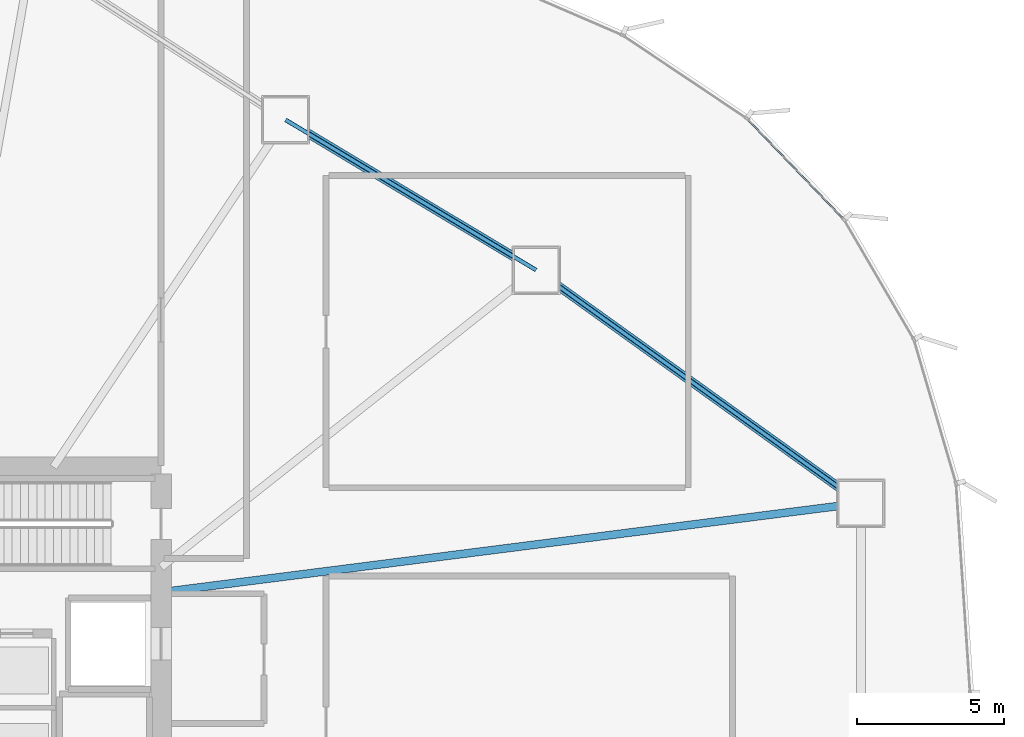
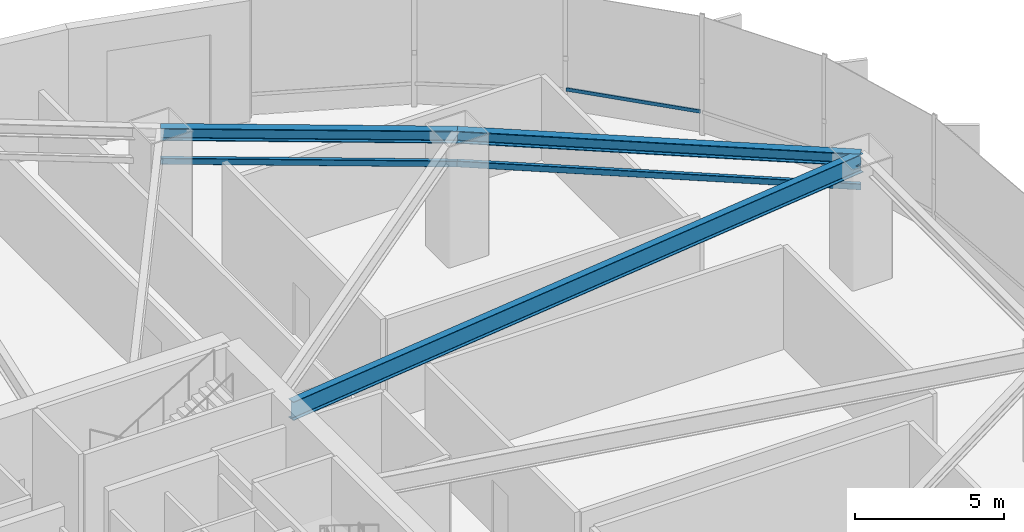
# One storey, part 19 of 35: 5 beams, 1 member, 1 element without a shape of its own.
"""IFC4 building model written with IfcOpenShell, lengths in metres."""

from ifc_helpers import new_model, si_unit, direction, frame, origin, origin_2d, place, context, subcontext, project, spatial, hollow_rectangle, i_section, extrude, source, transform, mapped, material, layer, layer_set, material_profile, profile_set, type_object, element, aggregate, save


model = new_model("IFC4")

# Units and contexts
model_context = context("Model", 3, precision=1e-05, world=origin(), true_north=direction((0.0, 1.0)))
body_context = subcontext(model_context, "Body", "Model", "MODEL_VIEW")
ifc_project = project(units=[si_unit("LENGTHUNIT", "METRE"), si_unit("AREAUNIT", "SQUARE_METRE"), si_unit("VOLUMEUNIT", "CUBIC_METRE"), si_unit("PLANEANGLEUNIT", "RADIAN"), si_unit("MASSUNIT", "GRAM", prefix="KILO"), si_unit("THERMODYNAMICTEMPERATUREUNIT", "KELVIN")], contexts=[model_context])

# Site, building, storey
site_placement = place(None, origin())
site = spatial("IfcSite", under=ifc_project, at=site_placement, CompositionType="ELEMENT")
building_placement = place(site_placement, origin())
building = spatial("IfcBuilding", under=site, at=building_placement, Name="Kethvar Cultural Tower", CompositionType="ELEMENT")
storey_placement = place(building_placement, origin())
storey = spatial("IfcBuildingStorey", under=building, at=storey_placement, Name="L00", CompositionType="ELEMENT", Elevation=0.0)

# Beams
ifc_material_1 = material(Name="Steel S355J2", Category="steel")
ifc_material_profile_1 = material_profile(ifc_material_1, i_section(OverallWidth=0.300048828125, OverallDepth=0.5, WebThickness=0.014404296875, FlangeThickness=0.028076171875, FilletRadius=0.027099609375, at=origin_2d()), Name="Steel S355J2 — HEB500")
ifc_profile_set_1 = profile_set([ifc_material_profile_1], Name="Steel S355J2 — HEB500")
beam_type_1 = type_object("IfcBeamType", Name="BM-SP500", PredefinedType="SPANDREL", material=ifc_profile_set_1)
shared_shape_1 = source(origin(), body_context, "Body", "SweptSolid", [
    extrude(i_section(OverallWidth=0.300048828125, OverallDepth=0.5, WebThickness=0.014404296875, FlangeThickness=0.028076171875, FilletRadius=0.027099609375, at=origin_2d()), origin(), (0.0, 0.0, 1.0), 13.5712890625),
])
beam_1_placement = place(storey_placement, frame((79.362060546875, 34.277099609375, 4.697998046875), z_axis=(-0.812419874207, 0.583072849645, 0.0), x_axis=(-0.583072849645, -0.812419874207, 0.0)))
element("IfcBeam", 1, at=beam_1_placement, inside=storey, type_object=beam_type_1, Name="L00 Podium Ring Beam 01", PredefinedType="SPANDREL", context=body_context, shape_type="MappedRepresentation", body=[
    mapped(shared_shape_1, transform((0.0, 0.0, 0.0), scale=1.0)),
])
shared_shape_2 = source(origin(), body_context, "Body", "SweptSolid", [
    extrude(i_section(OverallWidth=0.300048828125, OverallDepth=0.5, WebThickness=0.014404296875, FlangeThickness=0.028076171875, FilletRadius=0.027099609375, at=origin_2d()), origin(), (0.0, 0.0, 1.0), 9.924072265625),
])
beam_2_placement = place(storey_placement, frame((68.33642578125, 42.190185546875, 4.697998046875), z_axis=(-0.857664361463, 0.514209921215, 0.0), x_axis=(-0.514209921215, -0.857664361463, 0.0)))
element("IfcBeam", 2, at=beam_2_placement, inside=storey, type_object=beam_type_1, Name="L00 Podium Ring Beam 02", PredefinedType="SPANDREL", context=body_context, shape_type="MappedRepresentation", body=[
    mapped(shared_shape_2, transform((0.0, 0.0, 0.0), scale=1.0)),
])
ifc_material_profile_2 = material_profile(ifc_material_1, i_section(OverallWidth=0.26708984375, OverallDepth=0.761962890625, WebThickness=0.014404296875, FlangeThickness=0.021484375, FilletRadius=0.01708984375, at=origin_2d()), Name="Steel S355J2 — IPE750x173")
ifc_profile_set_2 = profile_set([ifc_material_profile_2], Name="Steel S355J2 — IPE750x173")
beam_type_2 = type_object("IfcBeamType", Name="BM-IPE750", PredefinedType="BEAM", material=ifc_profile_set_2)
shared_shape_3 = source(origin(), body_context, "Body", "SweptSolid", [
    extrude(i_section(OverallWidth=0.26708984375, OverallDepth=0.761962890625, WebThickness=0.014404296875, FlangeThickness=0.021484375, FilletRadius=0.01708984375, at=origin_2d()), origin(), (0.0, 0.0, 1.0), 23.9541015625),
])
beam_3_placement = place(storey_placement, frame((55.60009765625, 31.25, 4.56689453125), z_axis=(0.991983004647, 0.126371351546, 0.0), x_axis=(-0.126371351546, 0.991983004647, 0.0)))
element("IfcBeam", 3, at=beam_3_placement, inside=storey, type_object=beam_type_2, Name="L00 Podium Radial Girder 01", PredefinedType="BEAM", context=body_context, shape_type="MappedRepresentation", body=[
    mapped(shared_shape_3, transform((0.0, 0.0, 0.0), scale=1.0)),
])
ifc_material_profile_3 = material_profile(ifc_material_1, hollow_rectangle(XDim=0.14990234375, YDim=0.25, WallThickness=0.010009765625, InnerFilletRadius=0.010009765625, OuterFilletRadius=0.02001953125, at=origin_2d()), Name="Steel S355J2 — RHS250x150x10")
ifc_profile_set_3 = profile_set([ifc_material_profile_3], Name="Steel S355J2 — RHS250x150x10")
beam_type_3 = type_object("IfcBeamType", Name="BM-LN250", PredefinedType="LINTEL", material=ifc_profile_set_3)
shared_shape_4 = source(origin(), body_context, "Body", "SweptSolid", [
    extrude(hollow_rectangle(XDim=0.14990234375, YDim=0.25, WallThickness=0.010009765625, InnerFilletRadius=0.010009765625, OuterFilletRadius=0.02001953125, at=origin_2d()), origin(), (0.0, 0.0, 1.0), 13.5712890625),
])
beam_4_placement = place(storey_placement, frame((79.362060546875, 34.277099609375, 3.550048828125), z_axis=(-0.812419874207, 0.583072849645, 0.0), x_axis=(-0.583072849645, -0.812419874207, 0.0)))
element("IfcBeam", 4, at=beam_4_placement, inside=storey, type_object=beam_type_3, Name="L00 Header Lintel LN-01", PredefinedType="LINTEL", context=body_context, shape_type="MappedRepresentation", body=[
    mapped(shared_shape_4, transform((0.0, 0.0, 0.0), scale=1.0)),
])
shared_shape_5 = source(origin(), body_context, "Body", "SweptSolid", [
    extrude(hollow_rectangle(XDim=0.14990234375, YDim=0.25, WallThickness=0.010009765625, InnerFilletRadius=0.010009765625, OuterFilletRadius=0.02001953125, at=origin_2d()), origin(), (0.0, 0.0, 1.0), 9.924072265625),
])
beam_5_placement = place(storey_placement, frame((68.33642578125, 42.190185546875, 3.550048828125), z_axis=(-0.857664361463, 0.514209921215, 0.0), x_axis=(-0.514209921215, -0.857664361463, 0.0)))
element("IfcBeam", 5, at=beam_5_placement, inside=storey, type_object=beam_type_3, Name="L00 Header Lintel LN-02", PredefinedType="LINTEL", context=body_context, shape_type="MappedRepresentation", body=[
    mapped(shared_shape_5, transform((0.0, 0.0, 0.0), scale=1.0)),
])

# Curtain wall, member
ifc_material_2 = material(Name="Aluminium 6063-T6", Category="aluminium")
ifc_layer = layer(ifc_material_2, 0.179931640625, Name="Aluminium 6063-T6", Category="aluminium")
ifc_layer_set = layer_set([ifc_layer], Name="Aluminium 6063-T6 (180 mm)")
curtain_wall_type = type_object("IfcCurtainWallType", Name="CW-SYS-01-POD", PredefinedType="NOTDEFINED", material=ifc_layer_set)
curtain_wall_placement = place(storey_placement, origin())
curtain_wall = element("IfcCurtainWall", 6, at=curtain_wall_placement, inside=storey, type_object=curtain_wall_type, Name="L00 Curtain Wall Run 01", PredefinedType="NOTDEFINED")
ifc_material_profile_4 = material_profile(ifc_material_2, hollow_rectangle(XDim=0.06005859375, YDim=0.139892578125, WallThickness=0.0048828125, at=origin_2d()), Name="Aluminium 6063-T6 — RHS140x60x5")
ifc_profile_set_4 = profile_set([ifc_material_profile_4], Name="Aluminium 6063-T6 — RHS140x60x5")
member_type = type_object("IfcMemberType", Name="CW-SYS-01-POD-TRN", PredefinedType="USERDEFINED", material=ifc_profile_set_4)
shared_shape_6 = source(origin(), body_context, "Body", "SweptSolid", [
    extrude(hollow_rectangle(XDim=0.06005859375, YDim=0.139892578125, WallThickness=0.0048828125, at=origin_2d()), origin(), (0.0, 0.0, 1.0), 4.6826171875),
])
member_placement = place(storey_placement, frame((78.75341796875, 43.942626953125, 0.949951171875), z_axis=(-0.693341040309, 0.72060960431, 0.0), x_axis=(-0.72060960431, -0.693341040309, 0.0)))
member = element("IfcMember", 7, at=member_placement, type_object=member_type, Name="CW-L00-R01 Transom 4", ObjectType="TRANSOM", PredefinedType="USERDEFINED", context=body_context, shape_type="MappedRepresentation", body=[
    mapped(shared_shape_6, transform((0.0, 0.0, 0.0), scale=1.0)),
])
aggregate(curtain_wall, [member])

save(model, "model.ifc")
